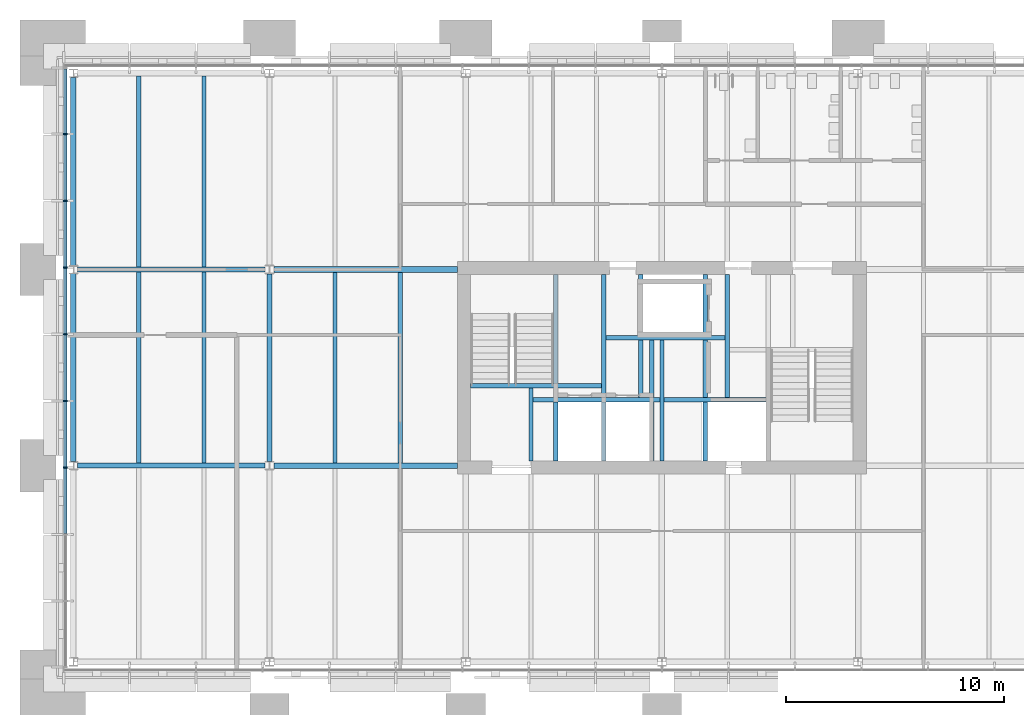
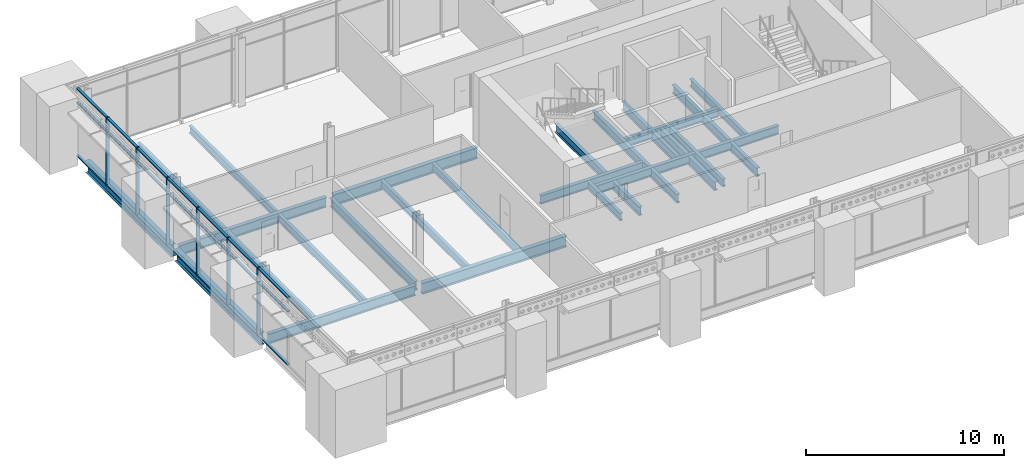
# One storey, part 11 of 54: 31 beams, 27 members, 1 element without a shape of its own.
"""IFC4 building model written with IfcOpenShell, lengths in metres."""

import ifcopenshell
import ifcopenshell.guid

model = None  # the IFC model being written
_history = None  # IfcOwnerHistory: only IFC2X3 demands one
_inside = {}  # id of a spatial element -> (the spatial element, [elements in it])
_under = {}  # id of a project, library or spatial element -> (it, [spatial elements below it])
_declared = {}  # id of a project -> (the project, [libraries it declares])
_typed = {}  # id of a type object -> (the type object, [elements of that type])
_made_of = {}  # id of a material, layer set ... -> (it, [elements and type objects made of it])


def new_model(schema):
    """Start an empty IFC model of exactly this schema.

    Asked for "IFC4X3", IfcOpenShell would pick the latest addendum, in which some entities
    have other attributes; the version numbers below select the first issue.
    IFC2X3 requires an IfcOwnerHistory on every rooted entity: one is made here for all.
    """
    global model, _history
    if schema == "IFC4X3":
        model = ifcopenshell.file(schema_version=(4, 3, 0, 0))
    else:
        model = ifcopenshell.file(schema=schema)
    _inside.clear()
    _under.clear()
    _declared.clear()
    _typed.clear()
    _made_of.clear()
    _history = None
    if model.schema == "IFC2X3":
        org = make("IfcOrganization", Name="unknown")
        user = make(
            "IfcPersonAndOrganization",
            ThePerson=make("IfcPerson", FamilyName="unknown"),
            TheOrganization=org,
        )
        app = make(
            "IfcApplication",
            ApplicationDeveloper=org,
            Version="unknown",
            ApplicationFullName="unknown",
            ApplicationIdentifier="unknown",
        )
        _history = make(
            "IfcOwnerHistory",
            OwningUser=user,
            OwningApplication=app,
            ChangeAction="ADDED",
            CreationDate=0,
        )
    return model


def make(cls, **values):
    """One entity of the class cls with the attributes given. An attribute that is None is left unset."""
    return model.create_entity(
        cls, **{name: value for name, value in values.items() if value is not None}
    )


def rooted(cls, **values):
    """An entity with a GlobalId (a new one), such as an element, a storey or a relation."""
    return make(cls, GlobalId=ifcopenshell.guid.new(), OwnerHistory=_history, **values)


def si_unit(unit_type, name, prefix=None):
    """IfcSIUnit, for example si_unit("LENGTHUNIT", "METRE", prefix="MILLI")."""
    return make("IfcSIUnit", UnitType=unit_type, Prefix=prefix, Name=name)


def assignment(units):
    """IfcUnitAssignment: the units of a project."""
    return None if units is None else make("IfcUnitAssignment", Units=units)


def point(xyz):
    """IfcCartesianPoint."""
    return None if xyz is None else make("IfcCartesianPoint", Coordinates=xyz)


def direction(xyz):
    """IfcDirection."""
    return None if xyz is None else make("IfcDirection", DirectionRatios=xyz)


def frame(location, z_axis=None, x_axis=None):
    """IfcAxis2Placement3D, a coordinate frame: its origin and axes. An axis left out is left unset."""
    return make(
        "IfcAxis2Placement3D",
        Location=point(location),
        Axis=direction(z_axis),
        RefDirection=direction(x_axis),
    )


def frame_2d(location, x_axis=None):
    """IfcAxis2Placement2D, a coordinate frame in the plane: its origin and x axis."""
    return make(
        "IfcAxis2Placement2D", Location=point(location), RefDirection=direction(x_axis)
    )


def origin():
    """The frame at (0, 0, 0) with its axes left unset."""
    return frame((0.0, 0.0, 0.0))


def origin_2d():
    """The frame at (0, 0) in the plane with its x axis left unset."""
    return frame_2d((0.0, 0.0))


def place(relative_to, where):
    """IfcLocalPlacement: puts the frame where relative to a parent placement (None: the world)."""
    return make(
        "IfcLocalPlacement", PlacementRelTo=relative_to, RelativePlacement=where
    )


def context(
    kind, dimensions, precision=None, world=None, true_north=None, identifier=None
):
    """IfcGeometricRepresentationContext, for example the 3D "Model" context."""
    return make(
        "IfcGeometricRepresentationContext",
        ContextIdentifier=identifier,
        ContextType=kind,
        CoordinateSpaceDimension=dimensions,
        Precision=precision,
        WorldCoordinateSystem=world,
        TrueNorth=true_north,
    )


def subcontext(parent, identifier, kind, view, scale=None):
    """IfcGeometricRepresentationSubContext, for example "Body" below "Model"."""
    return make(
        "IfcGeometricRepresentationSubContext",
        ContextIdentifier=identifier,
        ContextType=kind,
        ParentContext=parent,
        TargetScale=scale,
        TargetView=view,
    )


def project(units=None, contexts=None):
    """IfcProject with its units and contexts."""
    return rooted(
        "IfcProject",
        Name="project",
        RepresentationContexts=contexts,
        UnitsInContext=assignment(units),
    )


def spatial(cls, under=None, at=None, **own):
    """A site, building, storey or space (cls), placed at a placement, below another one or the project."""
    s = rooted(cls, ObjectPlacement=at, **own)
    if under is not None:
        _under.setdefault(under.id(), (under, []))[1].append(s)
    return s


def profile(cls, at=None, kind="AREA", **sizes):
    """A parametric profile (cls). Its sizes go by their IFC names, for example OverallWidth=200.0."""
    return make(cls, ProfileType=kind, Position=at, **sizes)


def rectangle(**sizes):
    """IfcRectangleProfileDef."""
    return profile("IfcRectangleProfileDef", **sizes)


def i_section(**sizes):
    """IfcIShapeProfileDef."""
    return profile("IfcIShapeProfileDef", **sizes)


def extrude(swept, where, along, depth):
    """IfcExtrudedAreaSolid: the profile swept, set in the frame where, extruded along a direction by depth."""
    return make(
        "IfcExtrudedAreaSolid",
        SweptArea=swept,
        Position=where,
        ExtrudedDirection=direction(along),
        Depth=depth,
    )


def shape(context_of_items, identifier, shape_type, items):
    """IfcShapeRepresentation: the items that make up one representation, for example the "Body"."""
    return make(
        "IfcShapeRepresentation",
        ContextOfItems=context_of_items,
        RepresentationIdentifier=identifier,
        RepresentationType=shape_type,
        Items=items,
    )


def material(Name=None, Category=None):
    """IfcMaterial."""
    return make("IfcMaterial", Name=Name, Category=Category)


def material_profile(
    of_material, cross_section, Name=None, Category=None, Priority=None
):
    """IfcMaterialProfile: a cross section and its material."""
    return make(
        "IfcMaterialProfile",
        Name=Name,
        Material=of_material,
        Profile=cross_section,
        Priority=Priority,
        Category=Category,
    )


def profile_set(profiles, Name=None, composite=None):
    """IfcMaterialProfileSet."""
    return make(
        "IfcMaterialProfileSet",
        Name=Name,
        MaterialProfiles=profiles,
        CompositeProfile=composite,
    )


def made_of(thing, what):
    """Note that an element or type object is made of a material, layer set ...; save() writes the relation."""
    if what is not None:
        _made_of.setdefault(what.id(), (what, []))[1].append(thing)
    return thing


def type_object(cls, material=None, **own):
    """A type object (cls), such as IfcWallType, which elements share."""
    return made_of(rooted(cls, **own), material)


def element(
    cls,
    number,
    at=None,
    inside=None,
    cuts=None,
    type_object=None,
    material=None,
    context=None,
    identifier="Body",
    shape_type=None,
    held_by="IfcProductDefinitionShape",
    body=None,
    shapes=None,
    **own,
):
    """One element of the class cls, such as IfcWall. Its Tag is "e" and its number.

    at: its placement. inside: the storey or other place that contains it. cuts: it is an
    opening in that element (IfcRelVoidsElement). A single representation is given by context,
    identifier, shape_type and body (its items); several are given by shapes. held_by: the class
    of the entity that holds the representations. save() writes the other relations.
    """
    e = rooted(cls, Tag="e%d" % number, ObjectPlacement=at, **own)
    if body is not None:
        shapes = [shape(context, identifier, shape_type, body)]
    if shapes is not None:
        e.Representation = make(held_by, Representations=shapes)
    if inside is not None:
        _inside.setdefault(inside.id(), (inside, []))[1].append(e)
    if cuts is not None:
        rooted(
            "IfcRelVoidsElement", RelatingBuildingElement=cuts, RelatedOpeningElement=e
        )
    if type_object is not None:
        _typed.setdefault(type_object.id(), (type_object, []))[1].append(e)
    return made_of(e, material)


def aggregate(whole, parts):
    """IfcRelAggregates: a whole, such as a stair, and the parts it consists of."""
    return rooted("IfcRelAggregates", RelatingObject=whole, RelatedObjects=parts)


def save(model, path):
    """Write the relations noted so far, then the file.

    IfcRelAggregates (storeys below a building ...), IfcRelContainedInSpatialStructure (elements
    in a storey), IfcRelDefinesByType, IfcRelAssociatesMaterial and IfcRelDeclares: one each for
    every whole, place, type object, material and project.
    """
    for whole, parts in _under.values():
        aggregate(whole, parts)
    for where, things in _inside.values():
        rooted(
            "IfcRelContainedInSpatialStructure",
            RelatedElements=things,
            RelatingStructure=where,
        )
    for kind, things in _typed.values():
        rooted("IfcRelDefinesByType", RelatedObjects=things, RelatingType=kind)
    for what, things in _made_of.values():
        rooted("IfcRelAssociatesMaterial", RelatedObjects=things, RelatingMaterial=what)
    for by, libraries in _declared.values():
        rooted("IfcRelDeclares", RelatingContext=by, RelatedDefinitions=libraries)
    model.write(path)


model = new_model("IFC4")

# Units and contexts
model_context = context("Model", 3, precision=1e-05, world=origin(), true_north=direction((0.0, 1.0)))
body_context = subcontext(model_context, "Body", "Model", "MODEL_VIEW")
ifc_project = project(units=[si_unit("LENGTHUNIT", "METRE"), si_unit("AREAUNIT", "SQUARE_METRE"), si_unit("VOLUMEUNIT", "CUBIC_METRE"), si_unit("PLANEANGLEUNIT", "RADIAN"), si_unit("MASSUNIT", "GRAM", prefix="KILO")], contexts=[model_context])

# Site, building, storey
site_placement = place(None, origin())
site = spatial("IfcSite", under=ifc_project, at=site_placement, CompositionType="ELEMENT")
building_placement = place(site_placement, origin())
building = spatial("IfcBuilding", under=site, at=building_placement, Name="Baradari Gate Terminus", CompositionType="ELEMENT")
storey_placement = place(building_placement, frame((0.0, 0.0, 15.89990234375)))
storey = spatial("IfcBuildingStorey", under=building, at=storey_placement, Name="L03", CompositionType="ELEMENT", Elevation=15.89990234375)

# Beams
ifc_material_1 = material(Name="Steel S355", Category="steel")
ifc_material_profile_1 = material_profile(ifc_material_1, i_section(OverallWidth=0.19140625, OverallDepth=0.4599609375, WebThickness=0.010009765625, FlangeThickness=0.01611328125, FilletRadius=0.01025390625, at=origin_2d()), Name="UB 457x191x82")
ifc_profile_set_1 = profile_set([ifc_material_profile_1], Name="Steel S355")
beam_type_1 = type_object("IfcBeamType", Name="Core floor beam B23 UB 457x191x82", PredefinedType="BEAM", material=ifc_profile_set_1)
beam_1_placement = place(storey_placement, frame((30.0, 126.22509765625, -0.35986328125), z_axis=(0.0, 1.0, 0.0), x_axis=(-1.0, 0.0, 0.0)))
element("IfcBeam", 1, at=beam_1_placement, inside=storey, type_object=beam_type_1, Name="Core floor beam B23 30:126.225-129.57 L03", PredefinedType="BEAM", context=body_context, shape_type="SweptSolid", body=[
    extrude(i_section(OverallWidth=0.19140625, OverallDepth=0.4599609375, WebThickness=0.010009765625, FlangeThickness=0.01611328125, FilletRadius=0.01025390625, at=origin_2d()), origin(), (0.0, 0.0, 1.0), 3.34521484375),
])
beam_2_placement = place(storey_placement, frame((36.0, 126.22509765625, -0.35986328125), z_axis=(0.0, 1.0, 0.0), x_axis=(-1.0, 0.0, 0.0)))
element("IfcBeam", 2, at=beam_2_placement, inside=storey, type_object=beam_type_1, Name="Core floor beam B23 5:126.225-131.77 L03", PredefinedType="BEAM", context=body_context, shape_type="SweptSolid", body=[
    extrude(i_section(OverallWidth=0.19140625, OverallDepth=0.4599609375, WebThickness=0.010009765625, FlangeThickness=0.01611328125, FilletRadius=0.01025390625, at=origin_2d()), origin(), (0.0, 0.0, 1.0), 5.54541015625),
])
beam_3_placement = place(storey_placement, frame((39.0, 129.129638671875, -0.35986328125), z_axis=(0.0, 1.0, 0.0), x_axis=(-1.0, 0.0, 0.0)))
element("IfcBeam", 3, at=beam_3_placement, inside=storey, type_object=beam_type_1, Name="Core floor beam B23 39:129.13-134.775 L03", PredefinedType="BEAM", context=body_context, shape_type="SweptSolid", body=[
    extrude(i_section(OverallWidth=0.19140625, OverallDepth=0.4599609375, WebThickness=0.010009765625, FlangeThickness=0.01611328125, FilletRadius=0.01025390625, at=origin_2d()), origin(), (0.0, 0.0, 1.0), 5.645263671875),
])
ifc_material_2 = material(Name="Steel S355", Category="steel")
ifc_material_profile_2 = material_profile(ifc_material_2, i_section(OverallWidth=0.209228515625, OverallDepth=0.533203125, WebThickness=0.010009765625, FlangeThickness=0.015625, FilletRadius=0.0126953125, at=origin_2d()), Name="UB 533x210x92")
ifc_profile_set_2 = profile_set([ifc_material_profile_2], Name="Steel S355")
beam_type_2 = type_object("IfcBeamType", Name="Core floor trimmer beam B22 UB 533x210x92", PredefinedType="BEAM", material=ifc_profile_set_2)
beam_4_placement = place(storey_placement, frame((30.095703125, 129.02490234375, -0.396484375), z_axis=(1.0, 0.0, 0.0), x_axis=(0.0, 1.0, 0.0)))
element("IfcBeam", 4, at=beam_4_placement, inside=storey, type_object=beam_type_2, Name="Core floor trimmer beam B22 129.025:30.096-35.904 L03", PredefinedType="BEAM", context=body_context, shape_type="SweptSolid", body=[
    extrude(i_section(OverallWidth=0.209228515625, OverallDepth=0.533203125, WebThickness=0.010009765625, FlangeThickness=0.015625, FilletRadius=0.0126953125, at=origin_2d()), origin(), (0.0, 0.0, 1.0), 5.80859375),
])
beam_5_placement = place(storey_placement, frame((36.095703125, 129.02490234375, -0.396484375), z_axis=(1.0, 0.0, 0.0), x_axis=(0.0, 1.0, 0.0)))
element("IfcBeam", 5, at=beam_5_placement, inside=storey, type_object=beam_type_2, Name="Core floor trimmer beam B22 129.025:36.096-40.77 L03", PredefinedType="BEAM", context=body_context, shape_type="SweptSolid", body=[
    extrude(i_section(OverallWidth=0.209228515625, OverallDepth=0.533203125, WebThickness=0.010009765625, FlangeThickness=0.015625, FilletRadius=0.0126953125, at=origin_2d()), origin(), (0.0, 0.0, 1.0), 4.6748046875),
])
beam_6_placement = place(storey_placement, frame((27.22509765625, 129.675048828125, -0.396484375), z_axis=(1.0, 0.0, 0.0), x_axis=(0.0, 1.0, 0.0)))
element("IfcBeam", 6, at=beam_6_placement, inside=storey, type_object=beam_type_2, Name="Core floor trimmer beam B22 129.675:27.225-33.22 L03", PredefinedType="BEAM", context=body_context, shape_type="SweptSolid", body=[
    extrude(i_section(OverallWidth=0.209228515625, OverallDepth=0.533203125, WebThickness=0.010009765625, FlangeThickness=0.015625, FilletRadius=0.0126953125, at=origin_2d()), origin(), (0.0, 0.0, 1.0), 5.995361328125),
])
beam_7_placement = place(storey_placement, frame((33.4296875, 131.875, -0.396484375), z_axis=(1.0, 0.0, 0.0), x_axis=(0.0, 1.0, 0.0)))
element("IfcBeam", 7, at=beam_7_placement, inside=storey, type_object=beam_type_2, Name="Core floor trimmer beam B22 131.875:33.43-38.904 L03", PredefinedType="BEAM", context=body_context, shape_type="SweptSolid", body=[
    extrude(i_section(OverallWidth=0.209228515625, OverallDepth=0.533203125, WebThickness=0.010009765625, FlangeThickness=0.015625, FilletRadius=0.0126953125, at=origin_2d()), origin(), (0.0, 0.0, 1.0), 5.474609375),
])
for number, where, z_axis, x_axis, name in (
    (8, (31.125, 126.22509765625, -0.396484375), (0.0, 1.0, 0.0), (-1.0, 0.0, 0.0), "Core floor trimmer beam B22 31.125:126.225-128.92 L03"),
    (9, (33.324951171875, 126.22509765625, -0.396484375), (0.0, 1.0, 0.0), (-1.0, 0.0, 0.0), "Core floor trimmer beam B22 33.325:126.225-128.92 L03"),
):
    element("IfcBeam", number, at=place(storey_placement, frame(where, z_axis=z_axis, x_axis=x_axis)), inside=storey, type_object=beam_type_2, Name=name, PredefinedType="BEAM", context=body_context, shape_type="SweptSolid", body=[
        extrude(i_section(OverallWidth=0.209228515625, OverallDepth=0.533203125, WebThickness=0.010009765625, FlangeThickness=0.015625, FilletRadius=0.0126953125, at=origin_2d()), origin(), (0.0, 0.0, 1.0), 2.6953125),
    ])
beam_8_placement = place(storey_placement, frame((33.324951171875, 129.129638671875, -0.396484375), z_axis=(0.0, 1.0, 0.0), x_axis=(-1.0, 0.0, 0.0)))
element("IfcBeam", 10, at=beam_8_placement, inside=storey, type_object=beam_type_2, Name="Core floor trimmer beam B22 33.325:129.13-134.775 L03", PredefinedType="BEAM", context=body_context, shape_type="SweptSolid", body=[
    extrude(i_section(OverallWidth=0.209228515625, OverallDepth=0.533203125, WebThickness=0.010009765625, FlangeThickness=0.015625, FilletRadius=0.0126953125, at=origin_2d()), origin(), (0.0, 0.0, 1.0), 5.645263671875),
])
beam_9_placement = place(storey_placement, frame((35.530029296875, 126.22509765625, -0.396484375), z_axis=(0.0, 1.0, 0.0), x_axis=(-1.0, 0.0, 0.0)))
element("IfcBeam", 11, at=beam_9_placement, inside=storey, type_object=beam_type_2, Name="Core floor trimmer beam B22 35.53:126.225-128.92 L03", PredefinedType="BEAM", context=body_context, shape_type="SweptSolid", body=[
    extrude(i_section(OverallWidth=0.209228515625, OverallDepth=0.533203125, WebThickness=0.010009765625, FlangeThickness=0.015625, FilletRadius=0.0126953125, at=origin_2d()), origin(), (0.0, 0.0, 1.0), 2.6953125),
])
beam_10_placement = place(storey_placement, frame((35.530029296875, 129.129638671875, -0.396484375), z_axis=(0.0, 1.0, 0.0), x_axis=(-1.0, 0.0, 0.0)))
element("IfcBeam", 12, at=beam_10_placement, inside=storey, type_object=beam_type_2, Name="Core floor trimmer beam B22 35.53:129.13-131.77 L03", PredefinedType="BEAM", context=body_context, shape_type="SweptSolid", body=[
    extrude(i_section(OverallWidth=0.209228515625, OverallDepth=0.533203125, WebThickness=0.010009765625, FlangeThickness=0.015625, FilletRadius=0.0126953125, at=origin_2d()), origin(), (0.0, 0.0, 1.0), 2.640869140625),
])
beam_11_placement = place(storey_placement, frame((37.97802734375, 126.22509765625, -0.396484375), z_axis=(0.0, 1.0, 0.0), x_axis=(-1.0, 0.0, 0.0)))
element("IfcBeam", 13, at=beam_11_placement, inside=storey, type_object=beam_type_2, Name="Core floor trimmer beam B22 37.978:126.225-128.92 L03", PredefinedType="BEAM", context=body_context, shape_type="SweptSolid", body=[
    extrude(i_section(OverallWidth=0.209228515625, OverallDepth=0.533203125, WebThickness=0.010009765625, FlangeThickness=0.015625, FilletRadius=0.0126953125, at=origin_2d()), origin(), (0.0, 0.0, 1.0), 2.6953125),
])
beam_12_placement = place(storey_placement, frame((31.125, 129.77978515625, -0.396484375), z_axis=(0.0, 1.0, 0.0), x_axis=(-1.0, 0.0, 0.0)))
element("IfcBeam", 14, at=beam_12_placement, inside=storey, type_object=beam_type_2, Name="Core floor trimmer beam B22 31.125:129.78-134.775 L03", PredefinedType="BEAM", context=body_context, shape_type="SweptSolid", body=[
    extrude(i_section(OverallWidth=0.209228515625, OverallDepth=0.533203125, WebThickness=0.010009765625, FlangeThickness=0.015625, FilletRadius=0.0126953125, at=origin_2d()), origin(), (0.0, 0.0, 1.0), 4.9951171875),
])
beam_13_placement = place(storey_placement, frame((35.02001953125, 129.129638671875, -0.396484375), z_axis=(0.0, 1.0, 0.0), x_axis=(-1.0, 0.0, 0.0)))
element("IfcBeam", 15, at=beam_13_placement, inside=storey, type_object=beam_type_2, Name="Core floor trimmer beam B22 35.02:129.13-131.77 L03", PredefinedType="BEAM", context=body_context, shape_type="SweptSolid", body=[
    extrude(i_section(OverallWidth=0.209228515625, OverallDepth=0.533203125, WebThickness=0.010009765625, FlangeThickness=0.015625, FilletRadius=0.0126953125, at=origin_2d()), origin(), (0.0, 0.0, 1.0), 2.640869140625),
])
beam_14_placement = place(storey_placement, frame((35.02001953125, 131.9794921875, -0.396484375), z_axis=(0.0, 1.0, 0.0), x_axis=(-1.0, 0.0, 0.0)))
element("IfcBeam", 16, at=beam_14_placement, inside=storey, type_object=beam_type_2, Name="Core floor trimmer beam B22 35.02:131.98-134.775 L03", PredefinedType="BEAM", context=body_context, shape_type="SweptSolid", body=[
    extrude(i_section(OverallWidth=0.209228515625, OverallDepth=0.533203125, WebThickness=0.010009765625, FlangeThickness=0.015625, FilletRadius=0.0126953125, at=origin_2d()), origin(), (0.0, 0.0, 1.0), 2.79541015625),
])
beam_15_placement = place(storey_placement, frame((37.97802734375, 129.129638671875, -0.396484375), z_axis=(0.0, 1.0, 0.0), x_axis=(-1.0, 0.0, 0.0)))
element("IfcBeam", 17, at=beam_15_placement, inside=storey, type_object=beam_type_2, Name="Core floor trimmer beam B22 37.978:129.13-131.77 L03", PredefinedType="BEAM", context=body_context, shape_type="SweptSolid", body=[
    extrude(i_section(OverallWidth=0.209228515625, OverallDepth=0.533203125, WebThickness=0.010009765625, FlangeThickness=0.015625, FilletRadius=0.0126953125, at=origin_2d()), origin(), (0.0, 0.0, 1.0), 2.640869140625),
])
beam_16_placement = place(storey_placement, frame((37.97802734375, 131.9794921875, -0.396484375), z_axis=(0.0, 1.0, 0.0), x_axis=(-1.0, 0.0, 0.0)))
element("IfcBeam", 18, at=beam_16_placement, inside=storey, type_object=beam_type_2, Name="Core floor trimmer beam B22 37.978:131.98-134.775 L03", PredefinedType="BEAM", context=body_context, shape_type="SweptSolid", body=[
    extrude(i_section(OverallWidth=0.209228515625, OverallDepth=0.533203125, WebThickness=0.010009765625, FlangeThickness=0.015625, FilletRadius=0.0126953125, at=origin_2d()), origin(), (0.0, 0.0, 1.0), 2.79541015625),
])

# Curtain wall, members
ifc_material_3 = material(Name="Aluminium 6063-T6", Category="aluminium")
curtain_wall_type = type_object("IfcCurtainWallType", Name="Curtain wall CW-1 block unitised, zone L02-L05", PredefinedType="NOTDEFINED", material=ifc_material_3)
curtain_wall_placement = place(storey_placement, origin())
curtain_wall = element("IfcCurtainWall", 19, at=curtain_wall_placement, inside=storey, type_object=curtain_wall_type, Name="Curtain wall CW-1 Operations block W face L03", PredefinedType="NOTDEFINED")
ifc_material_4 = material(Name="Aluminium 6063-T6", Category="aluminium")
ifc_material_profile_3 = material_profile(ifc_material_4, rectangle(XDim=0.199951171875, YDim=0.06494140625, at=origin_2d()), Name="CM-1 65X200")
ifc_profile_set_3 = profile_set([ifc_material_profile_3], Name="Aluminium 6063-T6")
member_type_1 = type_object("IfcMemberType", Name="Curtain wall mullion CM-1 65x200", PredefinedType="MULLION", material=ifc_profile_set_3)
member_1_placement = place(storey_placement, frame((8.6298828125, 125.909912109375, 0.0), z_axis=(0.0, 0.0, 1.0), x_axis=(-1.0, 0.0, 0.0)))
member_1 = element("IfcMember", 20, at=member_1_placement, type_object=member_type_1, Name="CW-1 mullion 4", PredefinedType="MULLION", context=body_context, shape_type="SweptSolid", body=[
    extrude(rectangle(XDim=0.199951171875, YDim=0.06494140625, at=origin_2d()), origin(), (0.0, 0.0, 1.0), 4.2001953125),
])
member_2_placement = place(storey_placement, frame((8.6298828125, 128.969970703125, 0.0), z_axis=(0.0, 0.0, 1.0), x_axis=(-1.0, 0.0, 0.0)))
member_2 = element("IfcMember", 21, at=member_2_placement, type_object=member_type_1, Name="CW-1 mullion 5", PredefinedType="MULLION", context=body_context, shape_type="SweptSolid", body=[
    extrude(rectangle(XDim=0.199951171875, YDim=0.06494140625, at=origin_2d()), origin(), (0.0, 0.0, 1.0), 4.2001953125),
])
member_3_placement = place(storey_placement, frame((8.6298828125, 132.030029296875, 0.0), z_axis=(0.0, 0.0, 1.0), x_axis=(-1.0, 0.0, 0.0)))
member_3 = element("IfcMember", 22, at=member_3_placement, type_object=member_type_1, Name="CW-1 mullion 6", PredefinedType="MULLION", context=body_context, shape_type="SweptSolid", body=[
    extrude(rectangle(XDim=0.199951171875, YDim=0.06494140625, at=origin_2d()), origin(), (0.0, 0.0, 1.0), 4.2001953125),
])
member_4_placement = place(storey_placement, frame((8.6298828125, 135.090087890625, 0.0), z_axis=(0.0, 0.0, 1.0), x_axis=(-1.0, 0.0, 0.0)))
member_4 = element("IfcMember", 23, at=member_4_placement, type_object=member_type_1, Name="CW-1 mullion 7", PredefinedType="MULLION", context=body_context, shape_type="SweptSolid", body=[
    extrude(rectangle(XDim=0.199951171875, YDim=0.06494140625, at=origin_2d()), origin(), (0.0, 0.0, 1.0), 4.2001953125),
])
member_5_placement = place(storey_placement, frame((8.6298828125, 138.14990234375, 0.0), z_axis=(0.0, 0.0, 1.0), x_axis=(-1.0, 0.0, 0.0)))
member_5 = element("IfcMember", 24, at=member_5_placement, type_object=member_type_1, Name="CW-1 mullion 8", PredefinedType="MULLION", context=body_context, shape_type="SweptSolid", body=[
    extrude(rectangle(XDim=0.199951171875, YDim=0.06494140625, at=origin_2d()), origin(), (0.0, 0.0, 1.0), 4.2001953125),
])
member_6_placement = place(storey_placement, frame((8.6298828125, 141.2099609375, 0.0), z_axis=(0.0, 0.0, 1.0), x_axis=(-1.0, 0.0, 0.0)))
member_6 = element("IfcMember", 25, at=member_6_placement, type_object=member_type_1, Name="CW-1 mullion 9", PredefinedType="MULLION", context=body_context, shape_type="SweptSolid", body=[
    extrude(rectangle(XDim=0.199951171875, YDim=0.06494140625, at=origin_2d()), origin(), (0.0, 0.0, 1.0), 4.2001953125),
])
ifc_material_5 = material(Name="Aluminium 6063-T6", Category="aluminium")
ifc_material_profile_4 = material_profile(ifc_material_5, rectangle(XDim=0.14990234375, YDim=0.06494140625, at=origin_2d()), Name="CT-1 65X150")
ifc_profile_set_4 = profile_set([ifc_material_profile_4], Name="Aluminium 6063-T6")
member_type_2 = type_object("IfcMemberType", Name="Curtain wall transom CT-1 65x150", PredefinedType="USERDEFINED", material=ifc_profile_set_4)
member_7_placement = place(storey_placement, frame((8.6298828125, 122.882568359375, 0.03271484375), z_axis=(0.0, 1.0, 0.0), x_axis=(-1.0, 0.0, 0.0)))
member_7 = element("IfcMember", 26, at=member_7_placement, type_object=member_type_2, Name="CW-1 transom 3.1", ObjectType="TRANSOM", PredefinedType="USERDEFINED", context=body_context, shape_type="SweptSolid", body=[
    extrude(rectangle(XDim=0.14990234375, YDim=0.06494140625, at=origin_2d()), origin(), (0.0, 0.0, 1.0), 2.994873046875),
])
member_8_placement = place(storey_placement, frame((8.6298828125, 122.882568359375, 3.300048828125), z_axis=(0.0, 1.0, 0.0), x_axis=(-1.0, 0.0, 0.0)))
member_8 = element("IfcMember", 27, at=member_8_placement, type_object=member_type_2, Name="CW-1 transom 3.2", ObjectType="TRANSOM", PredefinedType="USERDEFINED", context=body_context, shape_type="SweptSolid", body=[
    extrude(rectangle(XDim=0.14990234375, YDim=0.06494140625, at=origin_2d()), origin(), (0.0, 0.0, 1.0), 2.994873046875),
])
member_9_placement = place(storey_placement, frame((8.6298828125, 122.882568359375, 4.16748046875), z_axis=(0.0, 1.0, 0.0), x_axis=(-1.0, 0.0, 0.0)))
member_9 = element("IfcMember", 28, at=member_9_placement, type_object=member_type_2, Name="CW-1 transom 3.3", ObjectType="TRANSOM", PredefinedType="USERDEFINED", context=body_context, shape_type="SweptSolid", body=[
    extrude(rectangle(XDim=0.14990234375, YDim=0.06494140625, at=origin_2d()), origin(), (0.0, 0.0, 1.0), 2.994873046875),
])
member_10_placement = place(storey_placement, frame((8.6298828125, 125.9423828125, 0.03271484375), z_axis=(0.0, 1.0, 0.0), x_axis=(-1.0, 0.0, 0.0)))
member_10 = element("IfcMember", 29, at=member_10_placement, type_object=member_type_2, Name="CW-1 transom 4.1", ObjectType="TRANSOM", PredefinedType="USERDEFINED", context=body_context, shape_type="SweptSolid", body=[
    extrude(rectangle(XDim=0.14990234375, YDim=0.06494140625, at=origin_2d()), origin(), (0.0, 0.0, 1.0), 2.9951171875),
])
member_11_placement = place(storey_placement, frame((8.6298828125, 125.9423828125, 3.300048828125), z_axis=(0.0, 1.0, 0.0), x_axis=(-1.0, 0.0, 0.0)))
member_11 = element("IfcMember", 30, at=member_11_placement, type_object=member_type_2, Name="CW-1 transom 4.2", ObjectType="TRANSOM", PredefinedType="USERDEFINED", context=body_context, shape_type="SweptSolid", body=[
    extrude(rectangle(XDim=0.14990234375, YDim=0.06494140625, at=origin_2d()), origin(), (0.0, 0.0, 1.0), 2.9951171875),
])
member_12_placement = place(storey_placement, frame((8.6298828125, 125.9423828125, 4.16748046875), z_axis=(0.0, 1.0, 0.0), x_axis=(-1.0, 0.0, 0.0)))
member_12 = element("IfcMember", 31, at=member_12_placement, type_object=member_type_2, Name="CW-1 transom 4.3", ObjectType="TRANSOM", PredefinedType="USERDEFINED", context=body_context, shape_type="SweptSolid", body=[
    extrude(rectangle(XDim=0.14990234375, YDim=0.06494140625, at=origin_2d()), origin(), (0.0, 0.0, 1.0), 2.9951171875),
])
member_13_placement = place(storey_placement, frame((8.6298828125, 129.00244140625, 0.03271484375), z_axis=(0.0, 1.0, 0.0), x_axis=(-1.0, 0.0, 0.0)))
member_13 = element("IfcMember", 32, at=member_13_placement, type_object=member_type_2, Name="CW-1 transom 5.1", ObjectType="TRANSOM", PredefinedType="USERDEFINED", context=body_context, shape_type="SweptSolid", body=[
    extrude(rectangle(XDim=0.14990234375, YDim=0.06494140625, at=origin_2d()), origin(), (0.0, 0.0, 1.0), 2.9951171875),
])
member_14_placement = place(storey_placement, frame((8.6298828125, 129.00244140625, 3.300048828125), z_axis=(0.0, 1.0, 0.0), x_axis=(-1.0, 0.0, 0.0)))
member_14 = element("IfcMember", 33, at=member_14_placement, type_object=member_type_2, Name="CW-1 transom 5.2", ObjectType="TRANSOM", PredefinedType="USERDEFINED", context=body_context, shape_type="SweptSolid", body=[
    extrude(rectangle(XDim=0.14990234375, YDim=0.06494140625, at=origin_2d()), origin(), (0.0, 0.0, 1.0), 2.9951171875),
])
member_15_placement = place(storey_placement, frame((8.6298828125, 129.00244140625, 4.16748046875), z_axis=(0.0, 1.0, 0.0), x_axis=(-1.0, 0.0, 0.0)))
member_15 = element("IfcMember", 34, at=member_15_placement, type_object=member_type_2, Name="CW-1 transom 5.3", ObjectType="TRANSOM", PredefinedType="USERDEFINED", context=body_context, shape_type="SweptSolid", body=[
    extrude(rectangle(XDim=0.14990234375, YDim=0.06494140625, at=origin_2d()), origin(), (0.0, 0.0, 1.0), 2.9951171875),
])
member_16_placement = place(storey_placement, frame((8.6298828125, 132.0625, 0.03271484375), z_axis=(0.0, 1.0, 0.0), x_axis=(-1.0, 0.0, 0.0)))
member_16 = element("IfcMember", 35, at=member_16_placement, type_object=member_type_2, Name="CW-1 transom 6.1", ObjectType="TRANSOM", PredefinedType="USERDEFINED", context=body_context, shape_type="SweptSolid", body=[
    extrude(rectangle(XDim=0.14990234375, YDim=0.06494140625, at=origin_2d()), origin(), (0.0, 0.0, 1.0), 2.9951171875),
])
member_17_placement = place(storey_placement, frame((8.6298828125, 132.0625, 3.300048828125), z_axis=(0.0, 1.0, 0.0), x_axis=(-1.0, 0.0, 0.0)))
member_17 = element("IfcMember", 36, at=member_17_placement, type_object=member_type_2, Name="CW-1 transom 6.2", ObjectType="TRANSOM", PredefinedType="USERDEFINED", context=body_context, shape_type="SweptSolid", body=[
    extrude(rectangle(XDim=0.14990234375, YDim=0.06494140625, at=origin_2d()), origin(), (0.0, 0.0, 1.0), 2.9951171875),
])
member_18_placement = place(storey_placement, frame((8.6298828125, 132.0625, 4.16748046875), z_axis=(0.0, 1.0, 0.0), x_axis=(-1.0, 0.0, 0.0)))
member_18 = element("IfcMember", 37, at=member_18_placement, type_object=member_type_2, Name="CW-1 transom 6.3", ObjectType="TRANSOM", PredefinedType="USERDEFINED", context=body_context, shape_type="SweptSolid", body=[
    extrude(rectangle(XDim=0.14990234375, YDim=0.06494140625, at=origin_2d()), origin(), (0.0, 0.0, 1.0), 2.9951171875),
])
member_19_placement = place(storey_placement, frame((8.6298828125, 135.12255859375, 0.03271484375), z_axis=(0.0, 1.0, 0.0), x_axis=(-1.0, 0.0, 0.0)))
member_19 = element("IfcMember", 38, at=member_19_placement, type_object=member_type_2, Name="CW-1 transom 7.1", ObjectType="TRANSOM", PredefinedType="USERDEFINED", context=body_context, shape_type="SweptSolid", body=[
    extrude(rectangle(XDim=0.14990234375, YDim=0.06494140625, at=origin_2d()), origin(), (0.0, 0.0, 1.0), 2.994873046875),
])
member_20_placement = place(storey_placement, frame((8.6298828125, 135.12255859375, 3.300048828125), z_axis=(0.0, 1.0, 0.0), x_axis=(-1.0, 0.0, 0.0)))
member_20 = element("IfcMember", 39, at=member_20_placement, type_object=member_type_2, Name="CW-1 transom 7.2", ObjectType="TRANSOM", PredefinedType="USERDEFINED", context=body_context, shape_type="SweptSolid", body=[
    extrude(rectangle(XDim=0.14990234375, YDim=0.06494140625, at=origin_2d()), origin(), (0.0, 0.0, 1.0), 2.994873046875),
])
member_21_placement = place(storey_placement, frame((8.6298828125, 135.12255859375, 4.16748046875), z_axis=(0.0, 1.0, 0.0), x_axis=(-1.0, 0.0, 0.0)))
member_21 = element("IfcMember", 40, at=member_21_placement, type_object=member_type_2, Name="CW-1 transom 7.3", ObjectType="TRANSOM", PredefinedType="USERDEFINED", context=body_context, shape_type="SweptSolid", body=[
    extrude(rectangle(XDim=0.14990234375, YDim=0.06494140625, at=origin_2d()), origin(), (0.0, 0.0, 1.0), 2.994873046875),
])
member_22_placement = place(storey_placement, frame((8.6298828125, 138.1826171875, 0.03271484375), z_axis=(0.0, 1.0, 0.0), x_axis=(-1.0, 0.0, 0.0)))
member_22 = element("IfcMember", 41, at=member_22_placement, type_object=member_type_2, Name="CW-1 transom 8.1", ObjectType="TRANSOM", PredefinedType="USERDEFINED", context=body_context, shape_type="SweptSolid", body=[
    extrude(rectangle(XDim=0.14990234375, YDim=0.06494140625, at=origin_2d()), origin(), (0.0, 0.0, 1.0), 2.994873046875),
])
member_23_placement = place(storey_placement, frame((8.6298828125, 138.1826171875, 3.300048828125), z_axis=(0.0, 1.0, 0.0), x_axis=(-1.0, 0.0, 0.0)))
member_23 = element("IfcMember", 42, at=member_23_placement, type_object=member_type_2, Name="CW-1 transom 8.2", ObjectType="TRANSOM", PredefinedType="USERDEFINED", context=body_context, shape_type="SweptSolid", body=[
    extrude(rectangle(XDim=0.14990234375, YDim=0.06494140625, at=origin_2d()), origin(), (0.0, 0.0, 1.0), 2.994873046875),
])
member_24_placement = place(storey_placement, frame((8.6298828125, 138.1826171875, 4.16748046875), z_axis=(0.0, 1.0, 0.0), x_axis=(-1.0, 0.0, 0.0)))
member_24 = element("IfcMember", 43, at=member_24_placement, type_object=member_type_2, Name="CW-1 transom 8.3", ObjectType="TRANSOM", PredefinedType="USERDEFINED", context=body_context, shape_type="SweptSolid", body=[
    extrude(rectangle(XDim=0.14990234375, YDim=0.06494140625, at=origin_2d()), origin(), (0.0, 0.0, 1.0), 2.994873046875),
])
member_25_placement = place(storey_placement, frame((8.6298828125, 141.242431640625, 0.03271484375), z_axis=(0.0, 1.0, 0.0), x_axis=(-1.0, 0.0, 0.0)))
member_25 = element("IfcMember", 44, at=member_25_placement, type_object=member_type_2, Name="CW-1 transom 9.1", ObjectType="TRANSOM", PredefinedType="USERDEFINED", context=body_context, shape_type="SweptSolid", body=[
    extrude(rectangle(XDim=0.14990234375, YDim=0.06494140625, at=origin_2d()), origin(), (0.0, 0.0, 1.0), 2.962646484375),
])
member_26_placement = place(storey_placement, frame((8.6298828125, 141.242431640625, 3.300048828125), z_axis=(0.0, 1.0, 0.0), x_axis=(-1.0, 0.0, 0.0)))
member_26 = element("IfcMember", 45, at=member_26_placement, type_object=member_type_2, Name="CW-1 transom 9.2", ObjectType="TRANSOM", PredefinedType="USERDEFINED", context=body_context, shape_type="SweptSolid", body=[
    extrude(rectangle(XDim=0.14990234375, YDim=0.06494140625, at=origin_2d()), origin(), (0.0, 0.0, 1.0), 2.962646484375),
])
member_27_placement = place(storey_placement, frame((8.6298828125, 141.242431640625, 4.16748046875), z_axis=(0.0, 1.0, 0.0), x_axis=(-1.0, 0.0, 0.0)))
member_27 = element("IfcMember", 46, at=member_27_placement, type_object=member_type_2, Name="CW-1 transom 9.3", ObjectType="TRANSOM", PredefinedType="USERDEFINED", context=body_context, shape_type="SweptSolid", body=[
    extrude(rectangle(XDim=0.14990234375, YDim=0.06494140625, at=origin_2d()), origin(), (0.0, 0.0, 1.0), 2.962646484375),
])
aggregate(curtain_wall, [member_1, member_2, member_3, member_4, member_5, member_6, member_7, member_8, member_9, member_10, member_11, member_12, member_13, member_14, member_15, member_16, member_17, member_18, member_19, member_20, member_21, member_22, member_23, member_24, member_25, member_26, member_27])

# Beams
ifc_material_6 = material(Name="Steel S355", Category="steel")
ifc_material_profile_5 = material_profile(ifc_material_6, i_section(OverallWidth=0.25439453125, OverallDepth=0.6875, WebThickness=0.01318359375, FlangeThickness=0.02099609375, FilletRadius=0.01513671875, at=origin_2d()), Name="UB 686x254x152")
ifc_profile_set_5 = profile_set([ifc_material_profile_5], Name="Steel S355")
beam_type_3 = type_object("IfcBeamType", Name="Operations block coupling beam B26 UB 686x254x152", PredefinedType="BEAM", material=ifc_profile_set_5)
for number, where, z_axis, x_axis, name in (
    (47, (18.201416015625, 126.0, -0.4736328125), (1.0, 0.0, 0.0), (0.0, 1.0, 0.0), "Operations block coupling beam B26 Q:18.201-26.625 L03"),
    (48, (18.201416015625, 135.0, -0.4736328125), (1.0, 0.0, 0.0), (0.0, 1.0, 0.0), "Operations block coupling beam B26 R:18.201-26.625 L03"),
):
    element("IfcBeam", number, at=place(storey_placement, frame(where, z_axis=z_axis, x_axis=x_axis)), inside=storey, type_object=beam_type_3, Name=name, PredefinedType="BEAM", context=body_context, shape_type="SweptSolid", body=[
        extrude(i_section(OverallWidth=0.25439453125, OverallDepth=0.6875, WebThickness=0.01318359375, FlangeThickness=0.02099609375, FilletRadius=0.01513671875, at=origin_2d()), origin(), (0.0, 0.0, 1.0), 8.423583984375),
    ])
ifc_material_7 = material(Name="Steel S355", Category="steel")
ifc_material_profile_6 = material_profile(ifc_material_7, i_section(OverallWidth=0.22900390625, OverallDepth=0.6123046875, WebThickness=0.011962890625, FlangeThickness=0.01953125, FilletRadius=0.0126953125, at=origin_2d()), Name="UB 610x229x125")
ifc_profile_set_6 = profile_set([ifc_material_profile_6], Name="Steel S355")
beam_type_4 = type_object("IfcBeamType", Name="Operations block girder B25 UB 610x229x125", PredefinedType="BEAM", material=ifc_profile_set_6)
for number, where, z_axis, x_axis, name in (
    (49, (9.197509765625, 126.0, -0.43603515625), (1.0, 0.0, 0.0), (0.0, 1.0, 0.0), "Operations block girder B25 Q:9.197-17.799 L03"),
    (50, (9.197509765625, 135.0, -0.43603515625), (1.0, 0.0, 0.0), (0.0, 1.0, 0.0), "Operations block girder B25 R:9.197-17.799 L03"),
):
    element("IfcBeam", number, at=place(storey_placement, frame(where, z_axis=z_axis, x_axis=x_axis)), inside=storey, type_object=beam_type_4, Name=name, PredefinedType="BEAM", context=body_context, shape_type="SweptSolid", body=[
        extrude(i_section(OverallWidth=0.22900390625, OverallDepth=0.6123046875, WebThickness=0.011962890625, FlangeThickness=0.01953125, FilletRadius=0.0126953125, at=origin_2d()), origin(), (0.0, 0.0, 1.0), 8.60107421875),
    ])
ifc_material_8 = material(Name="Steel S355", Category="steel")
ifc_material_profile_7 = material_profile(ifc_material_8, i_section(OverallWidth=0.210693359375, OverallDepth=0.53955078125, WebThickness=0.01171875, FlangeThickness=0.018798828125, FilletRadius=0.0126953125, at=origin_2d()), Name="UB 533x210x109")
ifc_profile_set_7 = profile_set([ifc_material_profile_7], Name="Steel S355")
beam_type_5 = type_object("IfcBeamType", Name="Operations block girder B29 UB 533x210x109", PredefinedType="BEAM", material=ifc_profile_set_7)
beam_17_placement = place(storey_placement, frame((18.0, 126.203125, -0.399658203125), z_axis=(0.0, 1.0, 0.0), x_axis=(-1.0, 0.0, 0.0)))
element("IfcBeam", 51, at=beam_17_placement, inside=storey, type_object=beam_type_5, Name="Operations block girder B29 3:126.203-134.797 L03", PredefinedType="BEAM", context=body_context, shape_type="SweptSolid", body=[
    extrude(i_section(OverallWidth=0.210693359375, OverallDepth=0.53955078125, WebThickness=0.01171875, FlangeThickness=0.018798828125, FilletRadius=0.0126953125, at=origin_2d()), origin(), (0.0, 0.0, 1.0), 8.59375),
])
ifc_material_9 = material(Name="Steel S355", Category="steel")
ifc_material_profile_8 = material_profile(ifc_material_9, i_section(OverallWidth=0.2666015625, OverallDepth=0.76220703125, WebThickness=0.014404296875, FlangeThickness=0.021484375, FilletRadius=0.0166015625, at=origin_2d()), Name="UB 762x267x173")
ifc_profile_set_8 = profile_set([ifc_material_profile_8], Name="Steel S355")
beam_type_6 = type_object("IfcBeamType", Name="Operations block moment frame beam B24 UB 762x267x173", PredefinedType="BEAM", material=ifc_profile_set_8)
for number, where, z_axis, x_axis, name in (
    (52, (9.0, 126.1904296875, -0.510986328125), (0.0, 1.0, 0.0), (-1.0, 0.0, 0.0), "Operations block moment frame beam B24 2:126.191-134.81 L03"),
    (53, (9.0, 135.1904296875, -0.510986328125), (0.0, 1.0, 0.0), (-1.0, 0.0, 0.0), "Operations block moment frame beam B24 2:135.19-143.81 L03"),
):
    element("IfcBeam", number, at=place(storey_placement, frame(where, z_axis=z_axis, x_axis=x_axis)), inside=storey, type_object=beam_type_6, Name=name, PredefinedType="BEAM", context=body_context, shape_type="SweptSolid", body=[
        extrude(i_section(OverallWidth=0.2666015625, OverallDepth=0.76220703125, WebThickness=0.014404296875, FlangeThickness=0.021484375, FilletRadius=0.0166015625, at=origin_2d()), origin(), (0.0, 0.0, 1.0), 8.619140625),
    ])
ifc_material_10 = material(Name="Steel S355", Category="steel")
ifc_material_profile_9 = material_profile(ifc_material_10, i_section(OverallWidth=0.18994140625, OverallDepth=0.453369140625, WebThickness=0.008544921875, FlangeThickness=0.0126953125, FilletRadius=0.01025390625, at=origin_2d()), Name="UB 457x191x67")
ifc_profile_set_9 = profile_set([ifc_material_profile_9], Name="Steel S355")
beam_type_7 = type_object("IfcBeamType", Name="Operations block secondary beam B28 UB 457x191x67", PredefinedType="BEAM", material=ifc_profile_set_9)
beam_18_placement = place(storey_placement, frame((12.0, 126.114501953125, -0.356689453125), z_axis=(0.0, 1.0, 0.0), x_axis=(-1.0, 0.0, 0.0)))
element("IfcBeam", 54, at=beam_18_placement, inside=storey, type_object=beam_type_7, Name="Operations block secondary beam B28 12:126.115-134.886 L03", PredefinedType="BEAM", context=body_context, shape_type="SweptSolid", body=[
    extrude(i_section(OverallWidth=0.18994140625, OverallDepth=0.453369140625, WebThickness=0.008544921875, FlangeThickness=0.0126953125, FilletRadius=0.01025390625, at=origin_2d()), origin(), (0.0, 0.0, 1.0), 8.77099609375),
])
beam_19_placement = place(storey_placement, frame((12.0, 135.114501953125, -0.356689453125), z_axis=(0.0, 1.0, 0.0), x_axis=(-1.0, 0.0, 0.0)))
element("IfcBeam", 55, at=beam_19_placement, inside=storey, type_object=beam_type_7, Name="Operations block secondary beam B28 12:135.114-143.867 L03", PredefinedType="BEAM", context=body_context, shape_type="SweptSolid", body=[
    extrude(i_section(OverallWidth=0.18994140625, OverallDepth=0.453369140625, WebThickness=0.008544921875, FlangeThickness=0.0126953125, FilletRadius=0.01025390625, at=origin_2d()), origin(), (0.0, 0.0, 1.0), 8.752197265625),
])
beam_20_placement = place(storey_placement, frame((15.0, 126.114501953125, -0.356689453125), z_axis=(0.0, 1.0, 0.0), x_axis=(-1.0, 0.0, 0.0)))
element("IfcBeam", 56, at=beam_20_placement, inside=storey, type_object=beam_type_7, Name="Operations block secondary beam B28 15:126.115-134.886 L03", PredefinedType="BEAM", context=body_context, shape_type="SweptSolid", body=[
    extrude(i_section(OverallWidth=0.18994140625, OverallDepth=0.453369140625, WebThickness=0.008544921875, FlangeThickness=0.0126953125, FilletRadius=0.01025390625, at=origin_2d()), origin(), (0.0, 0.0, 1.0), 8.77099609375),
])
beam_21_placement = place(storey_placement, frame((15.0, 135.114501953125, -0.356689453125), z_axis=(0.0, 1.0, 0.0), x_axis=(-1.0, 0.0, 0.0)))
element("IfcBeam", 57, at=beam_21_placement, inside=storey, type_object=beam_type_7, Name="Operations block secondary beam B28 15:135.114-143.867 L03", PredefinedType="BEAM", context=body_context, shape_type="SweptSolid", body=[
    extrude(i_section(OverallWidth=0.18994140625, OverallDepth=0.453369140625, WebThickness=0.008544921875, FlangeThickness=0.0126953125, FilletRadius=0.01025390625, at=origin_2d()), origin(), (0.0, 0.0, 1.0), 8.752197265625),
])
for number, where, z_axis, x_axis, name in (
    (58, (21.0, 126.127197265625, -0.356689453125), (0.0, 1.0, 0.0), (-1.0, 0.0, 0.0), "Operations block secondary beam B28 21:126.127-134.873 L03"),
    (59, (24.0, 126.127197265625, -0.356689453125), (0.0, 1.0, 0.0), (-1.0, 0.0, 0.0), "Operations block secondary beam B28 24:126.127-134.873 L03"),
):
    element("IfcBeam", number, at=place(storey_placement, frame(where, z_axis=z_axis, x_axis=x_axis)), inside=storey, type_object=beam_type_7, Name=name, PredefinedType="BEAM", context=body_context, shape_type="SweptSolid", body=[
        extrude(i_section(OverallWidth=0.18994140625, OverallDepth=0.453369140625, WebThickness=0.008544921875, FlangeThickness=0.0126953125, FilletRadius=0.01025390625, at=origin_2d()), origin(), (0.0, 0.0, 1.0), 8.74560546875),
    ])

save(model, "model.ifc")
